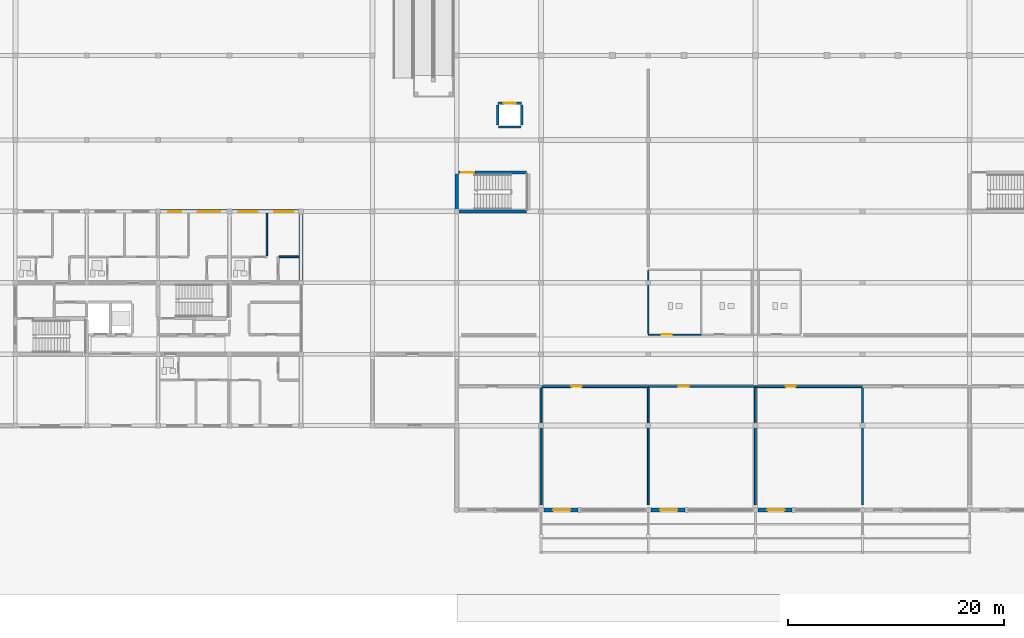
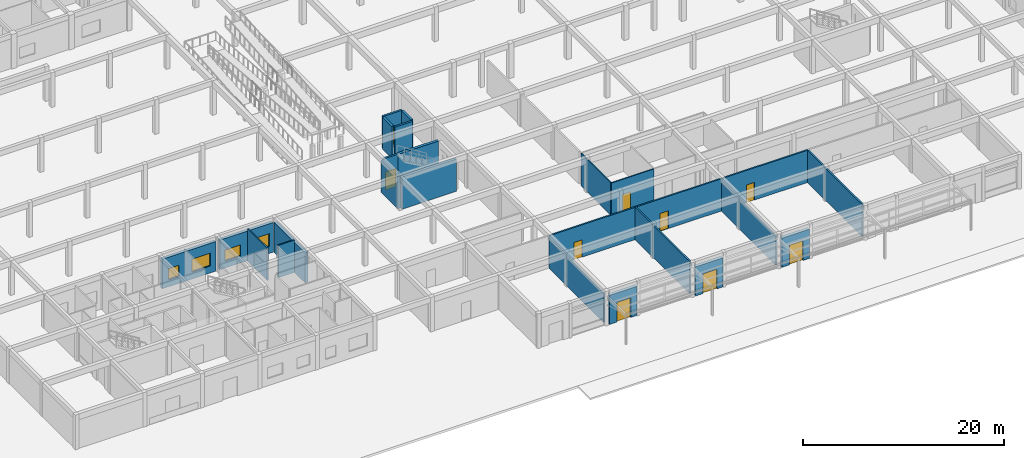
# One storey, part 51 of 75: 25 walls, 9 doors, 4 windows, 13 openings.
"""IFC4 building model written with IfcOpenShell, lengths in metres."""

from ifc_helpers import new_model, si_unit, direction, frame, frame_2d, origin, place, context, subcontext, project, spatial, rectangle, extrude, material, layer, layer_set, type_object, element, fill, save


model = new_model("IFC4")

# Units and contexts
model_context = context("Model", 3, precision=1e-05, world=origin(), true_north=direction((0.0, 1.0)))
body_context = subcontext(model_context, "Body", "Model", "MODEL_VIEW")
ifc_project = project(units=[si_unit("LENGTHUNIT", "METRE"), si_unit("AREAUNIT", "SQUARE_METRE"), si_unit("VOLUMEUNIT", "CUBIC_METRE"), si_unit("PLANEANGLEUNIT", "RADIAN"), si_unit("MASSUNIT", "GRAM", prefix="KILO")], contexts=[model_context])

# Site, building, storey
site_placement = place(None, origin())
site = spatial("IfcSite", under=ifc_project, at=site_placement, CompositionType="ELEMENT")
building_placement = place(site_placement, origin())
building = spatial("IfcBuilding", under=site, at=building_placement, Name="Kernevlak Ridge Housing Community", CompositionType="ELEMENT")
storey_placement = place(building_placement, origin())
storey = spatial("IfcBuildingStorey", under=building, at=storey_placement, Name="L00", CompositionType="ELEMENT", Elevation=0.0)

# Wall, openings, windows
ifc_material_1 = material(Name="Concrete block masonry M10", Category="masonry")
ifc_layer_1 = layer(ifc_material_1, 0.340087890625, Name="Concrete block masonry M10")
ifc_layer_set_1 = layer_set([ifc_layer_1], Name="Concrete block masonry M10")
wall_type_1 = type_object("IfcWallType", Name="EW-04", PredefinedType="STANDARD", material=ifc_layer_set_1)
wall_1_placement = place(storey_placement, frame((29.02490234375, 35.39990234375, 0.0), z_axis=(0.0, 0.0, 1.0), x_axis=(1.0, 0.0, 0.0)))
wall_1 = element("IfcWall", 1, at=wall_1_placement, inside=storey, type_object=wall_type_1, Name="Exterior wall EW-04 L00 721", PredefinedType="STANDARD", context=body_context, shape_type="SweptSolid", body=[
    extrude(rectangle(XDim=6.150146484375, YDim=0.340087890625, at=frame_2d((3.0751953125, 0.0))), origin(), (0.0, 0.0, 1.0), 3.60009765625),
])
opening_1_placement = place(wall_1_placement, frame((0.72509765625, 0.0, 0.85009765625)))
opening_1 = element("IfcOpeningElement", 2, at=opening_1_placement, cuts=wall_1, Name="Opening WT-01", PredefinedType="OPENING", context=body_context, shape_type="SweptSolid", body=[
    extrude(rectangle(XDim=1.199951171875, YDim=1.35009765625, at=frame_2d((0.60009765625, 0.675048828125))), frame((0.0, 0.179931640625, 0.0), z_axis=(0.0, -1.0, 0.0), x_axis=(1.0, 0.0, 0.0)), (0.0, 0.0, 1.0), 0.360107421875),
])
opening_2_placement = place(wall_1_placement, frame((3.425048828125, 0.0, 0.85009765625)))
opening_2 = element("IfcOpeningElement", 3, at=opening_2_placement, cuts=wall_1, Name="Opening WT-05", PredefinedType="OPENING", context=body_context, shape_type="SweptSolid", body=[
    extrude(rectangle(XDim=2.10009765625, YDim=1.550048828125, at=frame_2d((1.050048828125, 0.77490234375))), frame((0.0, 0.179931640625, 0.0), z_axis=(0.0, -1.0, 0.0), x_axis=(1.0, 0.0, 0.0)), (0.0, 0.0, 1.0), 0.360107421875),
])
ifc_material_2 = material(Name="Aluminium EN AW-6060 anodised and laminated glass", Category="aluminium")
window_type_1 = type_object("IfcWindowType", Name="WT-01", PartitioningType="SINGLE_PANEL", PredefinedType="WINDOW", material=ifc_material_2)
window_1_placement = place(opening_1_placement, origin())
window_1 = element("IfcWindow", 4, at=window_1_placement, inside=storey, type_object=window_type_1, Name="Window WT-01 L00 586", OverallHeight=1.35009765625, OverallWidth=1.199951171875, PartitioningType="SINGLE_PANEL", PredefinedType="WINDOW", context=body_context, shape_type="SweptSolid", body=[
    extrude(rectangle(XDim=1.199951171875, YDim=1.35009765625, at=frame_2d((0.60009765625, 0.675048828125))), frame((0.0, 0.030029296875, 0.0), z_axis=(0.0, -1.0, 0.0), x_axis=(1.0, 0.0, 0.0)), (0.0, 0.0, 1.0), 0.06005859375),
])
fill(opening_1, window_1)
window_type_2 = type_object("IfcWindowType", Name="WT-05", PartitioningType="SINGLE_PANEL", PredefinedType="WINDOW", material=ifc_material_2)
window_2_placement = place(opening_2_placement, origin())
window_2 = element("IfcWindow", 5, at=window_2_placement, inside=storey, type_object=window_type_2, Name="Window WT-05 L00 587", OverallHeight=1.550048828125, OverallWidth=2.10009765625, PartitioningType="SINGLE_PANEL", PredefinedType="WINDOW", context=body_context, shape_type="SweptSolid", body=[
    extrude(rectangle(XDim=2.10009765625, YDim=1.550048828125, at=frame_2d((1.050048828125, 0.77490234375))), frame((0.0, 0.030029296875, 0.0), z_axis=(0.0, -1.0, 0.0), x_axis=(1.0, 0.0, 0.0)), (0.0, 0.0, 1.0), 0.06005859375),
])
fill(opening_2, window_2)

wall_2_placement = place(storey_placement, frame((35.625, 35.39990234375, 0.0), z_axis=(0.0, 0.0, 1.0), x_axis=(1.0, 0.0, 0.0)))
wall_2 = element("IfcWall", 6, at=wall_2_placement, inside=storey, type_object=wall_type_1, Name="Exterior wall EW-04 L00 722", PredefinedType="STANDARD", context=body_context, shape_type="SweptSolid", body=[
    extrude(rectangle(XDim=6.14990234375, YDim=0.340087890625, at=frame_2d((3.074951171875, 0.0))), origin(), (0.0, 0.0, 1.0), 3.60009765625),
])
opening_3_placement = place(wall_2_placement, frame((0.60009765625, 0.0, 0.85009765625)))
opening_3 = element("IfcOpeningElement", 7, at=opening_3_placement, cuts=wall_2, Name="Opening WT-03", PredefinedType="OPENING", context=body_context, shape_type="SweptSolid", body=[
    extrude(rectangle(XDim=1.800048828125, YDim=1.35009765625, at=frame_2d((0.89990234375, 0.675048828125))), frame((0.0, 0.179931640625, 0.0), z_axis=(0.0, -1.0, 0.0), x_axis=(1.0, 0.0, 0.0)), (0.0, 0.0, 1.0), 0.360107421875),
])
opening_4_placement = place(wall_2_placement, frame((3.89990234375, 0.0, 0.85009765625)))
opening_4 = element("IfcOpeningElement", 8, at=opening_4_placement, cuts=wall_2, Name="Opening WT-04", PredefinedType="OPENING", context=body_context, shape_type="SweptSolid", body=[
    extrude(rectangle(XDim=1.800048828125, YDim=1.550048828125, at=frame_2d((0.89990234375, 0.77490234375))), frame((0.0, 0.179931640625, 0.0), z_axis=(0.0, -1.0, 0.0), x_axis=(1.0, 0.0, 0.0)), (0.0, 0.0, 1.0), 0.360107421875),
])
window_type_3 = type_object("IfcWindowType", Name="WT-03", PartitioningType="SINGLE_PANEL", PredefinedType="WINDOW", material=ifc_material_2)
window_3_placement = place(opening_3_placement, origin())
window_3 = element("IfcWindow", 9, at=window_3_placement, inside=storey, type_object=window_type_3, Name="Window WT-03 L00 588", OverallHeight=1.35009765625, OverallWidth=1.800048828125, PartitioningType="SINGLE_PANEL", PredefinedType="WINDOW", context=body_context, shape_type="SweptSolid", body=[
    extrude(rectangle(XDim=1.800048828125, YDim=1.35009765625, at=frame_2d((0.89990234375, 0.675048828125))), frame((0.0, 0.030029296875, 0.0), z_axis=(0.0, -1.0, 0.0), x_axis=(1.0, 0.0, 0.0)), (0.0, 0.0, 1.0), 0.06005859375),
])
fill(opening_3, window_3)
window_type_4 = type_object("IfcWindowType", Name="WT-04", PartitioningType="SINGLE_PANEL", PredefinedType="WINDOW", material=ifc_material_2)
window_4_placement = place(opening_4_placement, origin())
window_4 = element("IfcWindow", 10, at=window_4_placement, inside=storey, type_object=window_type_4, Name="Window WT-04 L00 589", OverallHeight=1.550048828125, OverallWidth=1.800048828125, PartitioningType="SINGLE_PANEL", PredefinedType="WINDOW", context=body_context, shape_type="SweptSolid", body=[
    extrude(rectangle(XDim=1.800048828125, YDim=1.550048828125, at=frame_2d((0.89990234375, 0.77490234375))), frame((0.0, 0.030029296875, 0.0), z_axis=(0.0, -1.0, 0.0), x_axis=(1.0, 0.0, 0.0)), (0.0, 0.0, 1.0), 0.06005859375),
])
fill(opening_4, window_4)

# Wall
wall_3_placement = place(storey_placement, frame((42.0, 29.02490234375, 0.0), z_axis=(0.0, 0.0, 1.0), x_axis=(0.0, 1.0, 0.0)))
element("IfcWall", 11, at=wall_3_placement, inside=storey, type_object=wall_type_1, Name="Exterior wall EW-04 L00 726", PredefinedType="STANDARD", context=body_context, shape_type="SweptSolid", body=[
    extrude(rectangle(XDim=6.150146484375, YDim=0.340087890625, at=frame_2d((3.0751953125, 0.0))), origin(), (0.0, 0.0, 1.0), 3.64990234375),
])

# Wall, opening, door
wall_4_placement = place(storey_placement, frame((64.449951171875, 7.800048828125, 0.0), z_axis=(0.0, 0.0, 1.0), x_axis=(1.0, 0.0, 0.0)))
wall_4 = element("IfcWall", 12, at=wall_4_placement, inside=storey, type_object=wall_type_1, Name="Exterior wall EW-04 L00 904", PredefinedType="STANDARD", context=body_context, shape_type="SweptSolid", body=[
    extrude(rectangle(XDim=3.150146484375, YDim=0.340087890625, at=frame_2d((1.5751953125, 0.0))), origin(), (0.0, 0.0, 1.0), 3.550048828125),
])
opening_5_placement = place(wall_4_placement, frame((0.85009765625, 0.0, 0.0)))
opening_5 = element("IfcOpeningElement", 13, at=opening_5_placement, cuts=wall_4, Name="Opening E798", PredefinedType="OPENING", context=body_context, shape_type="SweptSolid", body=[
    extrude(rectangle(XDim=1.60009765625, YDim=2.39990234375, at=frame_2d((0.800048828125, 1.199951171875))), frame((0.0, 0.179931640625, 0.0), z_axis=(0.0, -1.0, 0.0), x_axis=(1.0, 0.0, 0.0)), (0.0, 0.0, 1.0), 0.360107421875),
])
ifc_material_3 = material(Name="Aluminium EN AW-6060 and laminated safety glass", Category="aluminium")
door_type_1 = type_object("IfcDoorType", Name="DT-13", OperationType="DOUBLE_DOOR_SINGLE_SWING", PredefinedType="DOOR", material=ifc_material_3)
door_1_placement = place(opening_5_placement, origin())
door_1 = element("IfcDoor", 14, at=door_1_placement, inside=storey, type_object=door_type_1, Name="Retail Shop 2 street entrance exit E798", OperationType="DOUBLE_DOOR_SINGLE_SWING", OverallHeight=2.39990234375, OverallWidth=1.60009765625, PredefinedType="DOOR", context=body_context, shape_type="SweptSolid", body=[
    extrude(rectangle(XDim=1.60009765625, YDim=2.39990234375, at=frame_2d((0.800048828125, 1.199951171875))), frame((0.0, 0.02490234375, 0.0), z_axis=(0.0, -1.0, 0.0), x_axis=(1.0, 0.0, 0.0)), (0.0, 0.0, 1.0), 0.050048828125),
])
fill(opening_5, door_1)

wall_5_placement = place(storey_placement, frame((74.35009765625, 7.800048828125, 0.0), z_axis=(0.0, 0.0, 1.0), x_axis=(1.0, 0.0, 0.0)))
wall_5 = element("IfcWall", 15, at=wall_5_placement, inside=storey, type_object=wall_type_1, Name="Exterior wall EW-04 L00 905", PredefinedType="STANDARD", context=body_context, shape_type="SweptSolid", body=[
    extrude(rectangle(XDim=3.14990234375, YDim=0.340087890625, at=frame_2d((1.574951171875, 0.0))), origin(), (0.0, 0.0, 1.0), 3.550048828125),
])
opening_6_placement = place(wall_5_placement, frame((0.85009765625, 0.0, 0.0)))
opening_6 = element("IfcOpeningElement", 16, at=opening_6_placement, cuts=wall_5, Name="Opening E800", PredefinedType="OPENING", context=body_context, shape_type="SweptSolid", body=[
    extrude(rectangle(XDim=1.60009765625, YDim=2.39990234375, at=frame_2d((0.800048828125, 1.199951171875))), frame((0.0, 0.179931640625, 0.0), z_axis=(0.0, -1.0, 0.0), x_axis=(1.0, 0.0, 0.0)), (0.0, 0.0, 1.0), 0.360107421875),
])
door_2_placement = place(opening_6_placement, origin())
door_2 = element("IfcDoor", 17, at=door_2_placement, inside=storey, type_object=door_type_1, Name="Retail Shop 3 street entrance exit E800", OperationType="DOUBLE_DOOR_SINGLE_SWING", OverallHeight=2.39990234375, OverallWidth=1.60009765625, PredefinedType="DOOR", context=body_context, shape_type="SweptSolid", body=[
    extrude(rectangle(XDim=1.60009765625, YDim=2.39990234375, at=frame_2d((0.800048828125, 1.199951171875))), frame((0.0, 0.02490234375, 0.0), z_axis=(0.0, -1.0, 0.0), x_axis=(1.0, 0.0, 0.0)), (0.0, 0.0, 1.0), 0.050048828125),
])
fill(opening_6, door_2)

wall_6_placement = place(storey_placement, frame((84.25, 7.800048828125, 0.0), z_axis=(0.0, 0.0, 1.0), x_axis=(1.0, 0.0, 0.0)))
wall_6 = element("IfcWall", 18, at=wall_6_placement, inside=storey, type_object=wall_type_1, Name="Exterior wall EW-04 L00 906", PredefinedType="STANDARD", context=body_context, shape_type="SweptSolid", body=[
    extrude(rectangle(XDim=3.14990234375, YDim=0.340087890625, at=frame_2d((1.574951171875, 0.0))), origin(), (0.0, 0.0, 1.0), 3.550048828125),
])
opening_7_placement = place(wall_6_placement, frame((0.85009765625, 0.0, 0.0)))
opening_7 = element("IfcOpeningElement", 19, at=opening_7_placement, cuts=wall_6, Name="Opening E802", PredefinedType="OPENING", context=body_context, shape_type="SweptSolid", body=[
    extrude(rectangle(XDim=1.60009765625, YDim=2.39990234375, at=frame_2d((0.800048828125, 1.199951171875))), frame((0.0, 0.179931640625, 0.0), z_axis=(0.0, -1.0, 0.0), x_axis=(1.0, 0.0, 0.0)), (0.0, 0.0, 1.0), 0.360107421875),
])
door_3_placement = place(opening_7_placement, origin())
door_3 = element("IfcDoor", 20, at=door_3_placement, inside=storey, type_object=door_type_1, Name="Retail Shop 4 street entrance exit E802", OperationType="DOUBLE_DOOR_SINGLE_SWING", OverallHeight=2.39990234375, OverallWidth=1.60009765625, PredefinedType="DOOR", context=body_context, shape_type="SweptSolid", body=[
    extrude(rectangle(XDim=1.60009765625, YDim=2.39990234375, at=frame_2d((0.800048828125, 1.199951171875))), frame((0.0, 0.02490234375, 0.0), z_axis=(0.0, -1.0, 0.0), x_axis=(1.0, 0.0, 0.0)), (0.0, 0.0, 1.0), 0.050048828125),
])
fill(opening_7, door_3)

ifc_material_4 = material(Name="Concrete C35/45", Category="concrete")
ifc_layer_2 = layer(ifc_material_4, 0.22509765625, Name="Concrete C35/45")
ifc_layer_set_2 = layer_set([ifc_layer_2], Name="Concrete C35/45")
wall_type_2 = type_object("IfcWallType", Name="PW-01", PredefinedType="STANDARD", material=ifc_layer_set_2)
wall_7_placement = place(storey_placement, frame((56.550048828125, 39.0, 0.0), z_axis=(0.0, 0.0, 1.0), x_axis=(1.0, 0.0, 0.0)))
wall_7 = element("IfcWall", 21, at=wall_7_placement, inside=storey, type_object=wall_type_2, Name="Interior wall PW-01 WAL-INT-L00-3507", PredefinedType="STANDARD", context=body_context, shape_type="SweptSolid", body=[
    extrude(rectangle(XDim=1.64990234375, YDim=0.22509765625, at=frame_2d((0.824951171875, 0.0))), origin(), (0.0, 0.0, 1.0), 3.919921875),
])
opening_8_placement = place(wall_7_placement, frame((0.25, 0.0, 0.0)))
opening_8 = element("IfcOpeningElement", 22, at=opening_8_placement, cuts=wall_7, Name="Opening E780", PredefinedType="OPENING", context=body_context, shape_type="SweptSolid", body=[
    extrude(rectangle(XDim=1.199951171875, YDim=2.179931640625, at=frame_2d((0.60009765625, 1.08984375))), frame((0.0, 0.12255859375, 0.0), z_axis=(0.0, -1.0, 0.0), x_axis=(1.0, 0.0, 0.0)), (0.0, 0.0, 1.0), 0.2451171875),
])
ifc_material_5 = material(Name="Fire-rated sheet steel leaf", Category="steel")
door_type_2 = type_object("IfcDoorType", Name="DT-17", OperationType="NOTDEFINED", PredefinedType="DOOR", material=ifc_material_5)
door_4_placement = place(opening_8_placement, origin())
door_4 = element("IfcDoor", 23, at=door_4_placement, inside=storey, type_object=door_type_2, Name="Podium stair ST-P1 fire door E780", OperationType="SINGLE_SWING_LEFT", OverallHeight=2.179931640625, OverallWidth=1.199951171875, PredefinedType="DOOR", context=body_context, shape_type="SweptSolid", body=[
    extrude(rectangle(XDim=1.199951171875, YDim=2.179931640625, at=frame_2d((0.60009765625, 1.08984375))), frame((0.0, 0.02490234375, 0.0), z_axis=(0.0, -1.0, 0.0), x_axis=(1.0, 0.0, 0.0)), (0.0, 0.0, 1.0), 0.050048828125),
])
fill(opening_8, door_4)

wall_8_placement = place(storey_placement, frame((60.199951171875, 45.39990234375, 0.0), z_axis=(0.0, 0.0, 1.0), x_axis=(1.0, 0.0, 0.0)))
wall_8 = element("IfcWall", 24, at=wall_8_placement, inside=storey, type_object=wall_type_2, Name="Interior wall PW-01 WAL-INT-L00-3509", PredefinedType="STANDARD", context=body_context, shape_type="SweptSolid", body=[
    extrude(rectangle(XDim=2.199951171875, YDim=0.22509765625, at=frame_2d((1.10009765625, 0.0))), origin(), (0.0, 0.0, 1.0), 3.919921875),
])
opening_9_placement = place(wall_8_placement, frame((0.550048828125, 0.0, 0.0)))
opening_9 = element("IfcOpeningElement", 25, at=opening_9_placement, cuts=wall_8, Name="Opening LD98", PredefinedType="OPENING", context=body_context, shape_type="SweptSolid", body=[
    extrude(rectangle(XDim=1.10009765625, YDim=2.10009765625, at=frame_2d((0.550048828125, 1.050048828125))), frame((0.0, 0.12255859375, 0.0), z_axis=(0.0, -1.0, 0.0), x_axis=(1.0, 0.0, 0.0)), (0.0, 0.0, 1.0), 0.2451171875),
])
ifc_material_6 = material(Name="Stainless steel EN 1.4401", Category="steel")
door_type_3 = type_object("IfcDoorType", Name="DT-LD1", OperationType="DOUBLE_DOOR_SLIDING", PredefinedType="DOOR", material=ifc_material_6)
door_5_placement = place(opening_9_placement, origin())
door_5 = element("IfcDoor", 26, at=door_5_placement, inside=storey, type_object=door_type_3, Name="Civic podium lift LF-P1 landing door LD98", OperationType="DOUBLE_DOOR_SLIDING", OverallHeight=2.10009765625, OverallWidth=1.10009765625, PredefinedType="DOOR", context=body_context, shape_type="SweptSolid", body=[
    extrude(rectangle(XDim=1.10009765625, YDim=2.10009765625, at=frame_2d((0.550048828125, 1.050048828125))), frame((0.0, 0.02490234375, 0.0), z_axis=(0.0, -1.0, 0.0), x_axis=(1.0, 0.0, 0.0)), (0.0, 0.0, 1.0), 0.050048828125),
])
fill(opening_9, door_5)

# Walls
wall_9_placement = place(storey_placement, frame((60.280029296875, 43.199951171875, 0.0), z_axis=(0.0, 0.0, 1.0), x_axis=(1.0, 0.0, 0.0)))
element("IfcWall", 27, at=wall_9_placement, inside=storey, type_object=wall_type_2, Name="Interior wall PW-01 WAL-INT-L00-3510", PredefinedType="STANDARD", context=body_context, shape_type="SweptSolid", body=[
    extrude(rectangle(XDim=2.0400390625, YDim=0.22509765625, at=frame_2d((1.02001953125, 0.0))), origin(), (0.0, 0.0, 1.0), 3.919921875),
])
for number, where, z_axis, x_axis, name in (
    (28, (60.199951171875, 43.3798828125, 0.0), (0.0, 0.0, 1.0), (0.0, 1.0, 0.0), "Interior wall PW-01 WAL-INT-L00-3511"),
    (29, (62.39990234375, 43.3798828125, 0.0), (0.0, 0.0, 1.0), (0.0, 1.0, 0.0), "Interior wall PW-01 WAL-INT-L00-3512"),
):
    element("IfcWall", number, at=place(storey_placement, frame(where, z_axis=z_axis, x_axis=x_axis)), inside=storey, type_object=wall_type_2, Name=name, PredefinedType="STANDARD", context=body_context, shape_type="SweptSolid", body=[
        extrude(rectangle(XDim=1.840087890625, YDim=0.22509765625, at=frame_2d((0.919921875, 0.0))), origin(), (0.0, 0.0, 1.0), 3.919921875),
    ])

# Wall, opening, door
ifc_layer_3 = layer(ifc_material_1, 0.175048828125, Name="Concrete block masonry M10")
ifc_layer_set_3 = layer_set([ifc_layer_3], Name="Concrete block masonry M10")
wall_type_3 = type_object("IfcWallType", Name="PW-02", PredefinedType="PARTITIONING", material=ifc_layer_set_3)
wall_10_placement = place(storey_placement, frame((64.199951171875, 19.199951171875, 0.0), z_axis=(0.0, 0.0, 1.0), x_axis=(1.0, 0.0, 0.0)))
wall_10 = element("IfcWall", 30, at=wall_10_placement, inside=storey, type_object=wall_type_3, Name="Interior wall PW-02 WAL-INT-L00-3548", PredefinedType="PARTITIONING", context=body_context, shape_type="SweptSolid", body=[
    extrude(rectangle(XDim=9.900146484375, YDim=0.175048828125, at=frame_2d((4.9501953125, 0.0))), origin(), (0.0, 0.0, 1.0), 3.919921875),
])
opening_10_placement = place(wall_10_placement, frame((2.800048828125, 0.0, 0.0)))
opening_10 = element("IfcOpeningElement", 31, at=opening_10_placement, cuts=wall_10, Name="Opening E797", PredefinedType="OPENING", context=body_context, shape_type="SweptSolid", body=[
    extrude(rectangle(XDim=0.949951171875, YDim=2.10009765625, at=frame_2d((0.47509765625, 1.050048828125))), frame((0.0, 0.097412109375, 0.0), z_axis=(0.0, -1.0, 0.0), x_axis=(1.0, 0.0, 0.0)), (0.0, 0.0, 1.0), 0.195068359375),
])
ifc_material_7 = material(Name="Hardwood timber solid-core fire leaf", Category="wood")
door_type_4 = type_object("IfcDoorType", Name="DT-01", OperationType="NOTDEFINED", PredefinedType="DOOR", material=ifc_material_7)
door_6_placement = place(opening_10_placement, origin())
door_6 = element("IfcDoor", 32, at=door_6_placement, inside=storey, type_object=door_type_4, Name="Retail Shop 2 arcade fire door E797", OperationType="SINGLE_SWING_RIGHT", OverallHeight=2.10009765625, OverallWidth=0.949951171875, PredefinedType="DOOR", context=body_context, shape_type="SweptSolid", body=[
    extrude(rectangle(XDim=0.949951171875, YDim=2.10009765625, at=frame_2d((0.47509765625, 1.050048828125))), frame((0.0, 0.02490234375, 0.0), z_axis=(0.0, -1.0, 0.0), x_axis=(1.0, 0.0, 0.0)), (0.0, 0.0, 1.0), 0.050048828125),
])
fill(opening_10, door_6)

# Wall
wall_11_placement = place(storey_placement, frame((64.199951171875, 8.280029296875, 0.0), z_axis=(0.0, 0.0, 1.0), x_axis=(0.0, 1.0, 0.0)))
element("IfcWall", 33, at=wall_11_placement, inside=storey, type_object=wall_type_3, Name="Interior wall PW-02 WAL-INT-L00-3549", PredefinedType="PARTITIONING", context=body_context, shape_type="SweptSolid", body=[
    extrude(rectangle(XDim=10.822509765625, YDim=0.175048828125, at=frame_2d((5.4111328125, 0.0))), origin(), (0.0, 0.0, 1.0), 3.5),
])

# Wall, opening, door
wall_12_placement = place(storey_placement, frame((74.10009765625, 19.199951171875, 0.0), z_axis=(0.0, 0.0, 1.0), x_axis=(1.0, 0.0, 0.0)))
wall_12 = element("IfcWall", 34, at=wall_12_placement, inside=storey, type_object=wall_type_3, Name="Interior wall PW-02 WAL-INT-L00-3550", PredefinedType="PARTITIONING", context=body_context, shape_type="SweptSolid", body=[
    extrude(rectangle(XDim=9.89990234375, YDim=0.175048828125, at=frame_2d((4.949951171875, 0.0))), origin(), (0.0, 0.0, 1.0), 3.919921875),
])
opening_11_placement = place(wall_12_placement, frame((2.800048828125, 0.0, 0.0)))
opening_11 = element("IfcOpeningElement", 35, at=opening_11_placement, cuts=wall_12, Name="Opening E799", PredefinedType="OPENING", context=body_context, shape_type="SweptSolid", body=[
    extrude(rectangle(XDim=0.949951171875, YDim=2.159912109375, at=frame_2d((0.47509765625, 1.080078125))), frame((0.0, 0.097412109375, 0.0), z_axis=(0.0, -1.0, 0.0), x_axis=(1.0, 0.0, 0.0)), (0.0, 0.0, 1.0), 0.195068359375),
])
door_type_5 = type_object("IfcDoorType", Name="DT-02", OperationType="NOTDEFINED", PredefinedType="DOOR", material=ifc_material_7)
door_7_placement = place(opening_11_placement, origin())
door_7 = element("IfcDoor", 36, at=door_7_placement, inside=storey, type_object=door_type_5, Name="Retail Shop 3 arcade fire door E799", OperationType="SINGLE_SWING_RIGHT", OverallHeight=2.159912109375, OverallWidth=0.949951171875, PredefinedType="DOOR", context=body_context, shape_type="SweptSolid", body=[
    extrude(rectangle(XDim=0.949951171875, YDim=2.159912109375, at=frame_2d((0.47509765625, 1.080078125))), frame((0.0, 0.02490234375, 0.0), z_axis=(0.0, -1.0, 0.0), x_axis=(1.0, 0.0, 0.0)), (0.0, 0.0, 1.0), 0.050048828125),
])
fill(opening_11, door_7)

# Wall
wall_13_placement = place(storey_placement, frame((74.10009765625, 8.280029296875, 0.0), z_axis=(0.0, 0.0, 1.0), x_axis=(0.0, 1.0, 0.0)))
element("IfcWall", 37, at=wall_13_placement, inside=storey, type_object=wall_type_3, Name="Interior wall PW-02 WAL-INT-L00-3551", PredefinedType="PARTITIONING", context=body_context, shape_type="SweptSolid", body=[
    extrude(rectangle(XDim=10.822509765625, YDim=0.175048828125, at=frame_2d((5.4111328125, 0.0))), origin(), (0.0, 0.0, 1.0), 3.919921875),
])

# Wall, opening, door
wall_14_placement = place(storey_placement, frame((84.0, 19.199951171875, 0.0), z_axis=(0.0, 0.0, 1.0), x_axis=(1.0, 0.0, 0.0)))
wall_14 = element("IfcWall", 38, at=wall_14_placement, inside=storey, type_object=wall_type_3, Name="Interior wall PW-02 WAL-INT-L00-3552", PredefinedType="PARTITIONING", context=body_context, shape_type="SweptSolid", body=[
    extrude(rectangle(XDim=9.89990234375, YDim=0.175048828125, at=frame_2d((4.949951171875, 0.0))), origin(), (0.0, 0.0, 1.0), 3.919921875),
])
opening_12_placement = place(wall_14_placement, frame((2.800048828125, 0.0, 0.0)))
opening_12 = element("IfcOpeningElement", 39, at=opening_12_placement, cuts=wall_14, Name="Opening E801", PredefinedType="OPENING", context=body_context, shape_type="SweptSolid", body=[
    extrude(rectangle(XDim=0.919921875, YDim=2.139892578125, at=frame_2d((0.4599609375, 1.06982421875))), frame((0.0, 0.097412109375, 0.0), z_axis=(0.0, -1.0, 0.0), x_axis=(1.0, 0.0, 0.0)), (0.0, 0.0, 1.0), 0.195068359375),
])
door_type_6 = type_object("IfcDoorType", Name="DT-20", OperationType="NOTDEFINED", PredefinedType="DOOR", material=ifc_material_7)
door_8_placement = place(opening_12_placement, origin())
door_8 = element("IfcDoor", 40, at=door_8_placement, inside=storey, type_object=door_type_6, Name="Retail Shop 4 arcade fire door E801", OperationType="SINGLE_SWING_RIGHT", OverallHeight=2.139892578125, OverallWidth=0.919921875, PredefinedType="DOOR", context=body_context, shape_type="SweptSolid", body=[
    extrude(rectangle(XDim=0.919921875, YDim=2.139892578125, at=frame_2d((0.4599609375, 1.06982421875))), frame((0.0, 0.02490234375, 0.0), z_axis=(0.0, -1.0, 0.0), x_axis=(1.0, 0.0, 0.0)), (0.0, 0.0, 1.0), 0.050048828125),
])
fill(opening_12, door_8)

# Walls
wall_15_placement = place(storey_placement, frame((84.0, 8.280029296875, 0.0), z_axis=(0.0, 0.0, 1.0), x_axis=(0.0, 1.0, 0.0)))
element("IfcWall", 41, at=wall_15_placement, inside=storey, type_object=wall_type_3, Name="Interior wall PW-02 WAL-INT-L00-3553", PredefinedType="PARTITIONING", context=body_context, shape_type="SweptSolid", body=[
    extrude(rectangle(XDim=10.822509765625, YDim=0.175048828125, at=frame_2d((5.4111328125, 0.0))), origin(), (0.0, 0.0, 1.0), 3.5),
])
wall_16_placement = place(storey_placement, frame((93.89990234375, 8.280029296875, 0.0), z_axis=(0.0, 0.0, 1.0), x_axis=(0.0, 1.0, 0.0)))
element("IfcWall", 42, at=wall_16_placement, inside=storey, type_object=wall_type_3, Name="Interior wall PW-02 WAL-INT-L00-3555", PredefinedType="PARTITIONING", context=body_context, shape_type="SweptSolid", body=[
    extrude(rectangle(XDim=10.822509765625, YDim=0.175048828125, at=frame_2d((5.4111328125, 0.0))), origin(), (0.0, 0.0, 1.0), 3.919921875),
])
ifc_layer_4 = layer(ifc_material_1, 0.14501953125, Name="Concrete block masonry M10")
ifc_layer_set_4 = layer_set([ifc_layer_4], Name="Concrete block masonry M10")
wall_type_4 = type_object("IfcWallType", Name="PW-03", PredefinedType="PARTITIONING", material=ifc_layer_set_4)
wall_17_placement = place(storey_placement, frame((38.85009765625, 31.282470703125, 0.0), z_axis=(0.0, 0.0, 1.0), x_axis=(0.0, 1.0, 0.0)))
element("IfcWall", 43, at=wall_17_placement, inside=storey, type_object=wall_type_4, Name="Interior wall PW-03 WAL-INT-L00-2973", PredefinedType="PARTITIONING", context=body_context, shape_type="SweptSolid", body=[
    extrude(rectangle(XDim=3.9375, YDim=0.14501953125, at=frame_2d((1.96875, 0.0))), origin(), (0.0, 0.0, 1.0), 3.919921875),
])

# Wall, opening, door
ifc_material_8 = material(Name="Gypsum plasterboard EN 520", Category="gypsum")
ifc_layer_5 = layer(ifc_material_8, 0.125, Name="Gypsum plasterboard EN 520")
ifc_layer_set_5 = layer_set([ifc_layer_5], Name="Gypsum plasterboard EN 520")
wall_type_5 = type_object("IfcWallType", Name="PW-04", PredefinedType="PARTITIONING", material=ifc_layer_set_5)
wall_18_placement = place(storey_placement, frame((74.10009765625, 24.0, 0.0), z_axis=(0.0, 0.0, 1.0), x_axis=(1.0, 0.0, 0.0)))
wall_18 = element("IfcWall", 44, at=wall_18_placement, inside=storey, type_object=wall_type_5, Name="Interior wall PW-04 WAL-INT-L00-3563", PredefinedType="PARTITIONING", context=body_context, shape_type="SweptSolid", body=[
    extrude(rectangle(XDim=4.89990234375, YDim=0.125, at=frame_2d((2.449951171875, 0.0))), origin(), (0.0, 0.0, 1.0), 3.919921875),
])
opening_13_placement = place(wall_18_placement, frame((1.25, 0.0, 0.0)))
opening_13 = element("IfcOpeningElement", 45, at=opening_13_placement, cuts=wall_18, Name="Opening E807", PredefinedType="OPENING", context=body_context, shape_type="SweptSolid", body=[
    extrude(rectangle(XDim=0.93994140625, YDim=2.080078125, at=frame_2d((0.469970703125, 1.0400390625))), frame((0.0, 0.072509765625, 0.0), z_axis=(0.0, -1.0, 0.0), x_axis=(1.0, 0.0, 0.0)), (0.0, 0.0, 1.0), 0.14501953125),
])
ifc_material_9 = material(Name="Hardwood timber moisture-resistant leaf", Category="wood")
door_type_7 = type_object("IfcDoorType", Name="DT-23", OperationType="NOTDEFINED", PredefinedType="DOOR", material=ifc_material_9)
door_9_placement = place(opening_13_placement, origin())
door_9 = element("IfcDoor", 46, at=door_9_placement, inside=storey, type_object=door_type_7, Name="Retail Arcade Male WC door E807", OperationType="SINGLE_SWING_RIGHT", OverallHeight=2.080078125, OverallWidth=0.93994140625, PredefinedType="DOOR", context=body_context, shape_type="SweptSolid", body=[
    extrude(rectangle(XDim=0.93994140625, YDim=2.080078125, at=frame_2d((0.469970703125, 1.0400390625))), frame((0.0, 0.02490234375, 0.0), z_axis=(0.0, -1.0, 0.0), x_axis=(1.0, 0.0, 0.0)), (0.0, 0.0, 1.0), 0.050048828125),
])
fill(opening_13, door_9)

# Walls
wall_19_placement = place(storey_placement, frame((74.10009765625, 24.072509765625, 0.0), z_axis=(0.0, 0.0, 1.0), x_axis=(0.0, 1.0, 0.0)))
element("IfcWall", 47, at=wall_19_placement, inside=storey, type_object=wall_type_5, Name="Interior wall PW-04 WAL-INT-L00-3564", PredefinedType="PARTITIONING", context=body_context, shape_type="SweptSolid", body=[
    extrude(rectangle(XDim=5.85498046875, YDim=0.125, at=frame_2d((2.927490234375, 0.0))), origin(), (0.0, 0.0, 1.0), 3.919921875),
])
ifc_layer_6 = layer(ifc_material_8, 0.155029296875, Name="Gypsum plasterboard EN 520")
ifc_layer_set_6 = layer_set([ifc_layer_6], Name="Gypsum plasterboard EN 520")
wall_type_6 = type_object("IfcWallType", Name="PW-05", PredefinedType="PARTITIONING", material=ifc_layer_set_6)
wall_20_placement = place(storey_placement, frame((39.987548828125, 31.199951171875, 0.0), z_axis=(0.0, 0.0, 1.0), x_axis=(1.0, 0.0, 0.0)))
element("IfcWall", 48, at=wall_20_placement, inside=storey, type_object=wall_type_6, Name="Interior wall PW-05 WAL-INT-L00-2971", PredefinedType="PARTITIONING", context=body_context, shape_type="SweptSolid", body=[
    extrude(rectangle(XDim=1.83251953125, YDim=0.155029296875, at=frame_2d((0.916259765625, 0.0))), origin(), (0.0, 0.0, 1.0), 3.919921875),
])
ifc_material_10 = material(Name="Concrete C40/50", Category="concrete")
ifc_layer_7 = layer(ifc_material_10, 0.300048828125, Name="Concrete C40/50")
ifc_layer_set_7 = layer_set([ifc_layer_7], Name="Concrete C40/50")
wall_type_7 = type_object("IfcWallType", Name="SW-02", PredefinedType="SHEAR", material=ifc_layer_set_7)
wall_21_placement = place(storey_placement, frame((56.550048828125, 35.39990234375, 0.0), z_axis=(0.0, 0.0, 1.0), x_axis=(1.0, 0.0, 0.0)))
element("IfcWall", 49, at=wall_21_placement, inside=storey, type_object=wall_type_7, Name="Podium stair shear wall ST-P1 L00", PredefinedType="SHEAR", context=body_context, shape_type="SweptSolid", body=[
    extrude(rectangle(XDim=6.300048828125, YDim=0.300048828125, at=frame_2d((3.14990234375, 0.0))), origin(), (0.0, 0.0, 1.0), 3.919921875),
])
wall_22_placement = place(storey_placement, frame((58.199951171875, 39.0, 0.0), z_axis=(0.0, 0.0, 1.0), x_axis=(1.0, 0.0, 0.0)))
element("IfcWall", 50, at=wall_22_placement, inside=storey, type_object=wall_type_7, Name="Podium stair shear wall ST-P1 L00", PredefinedType="SHEAR", context=body_context, shape_type="SweptSolid", body=[
    extrude(rectangle(XDim=4.650146484375, YDim=0.300048828125, at=frame_2d((2.3251953125, 0.0))), origin(), (0.0, 0.0, 1.0), 3.919921875),
])
wall_23_placement = place(storey_placement, frame((56.39990234375, 35.550048828125, 0.0), z_axis=(0.0, 0.0, 1.0), x_axis=(0.0, 1.0, 0.0)))
element("IfcWall", 51, at=wall_23_placement, inside=storey, type_object=wall_type_7, Name="Podium stair shear wall ST-P1 L00", PredefinedType="SHEAR", context=body_context, shape_type="SweptSolid", body=[
    extrude(rectangle(XDim=3.300048828125, YDim=0.300048828125, at=frame_2d((1.64990234375, 0.0))), origin(), (0.0, 0.0, 1.0), 3.919921875),
])

save(model, "model.ifc")
